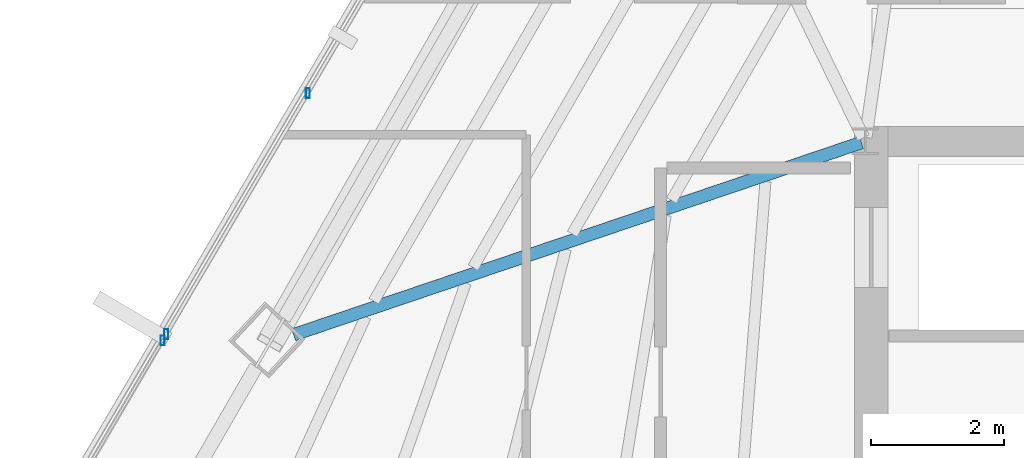
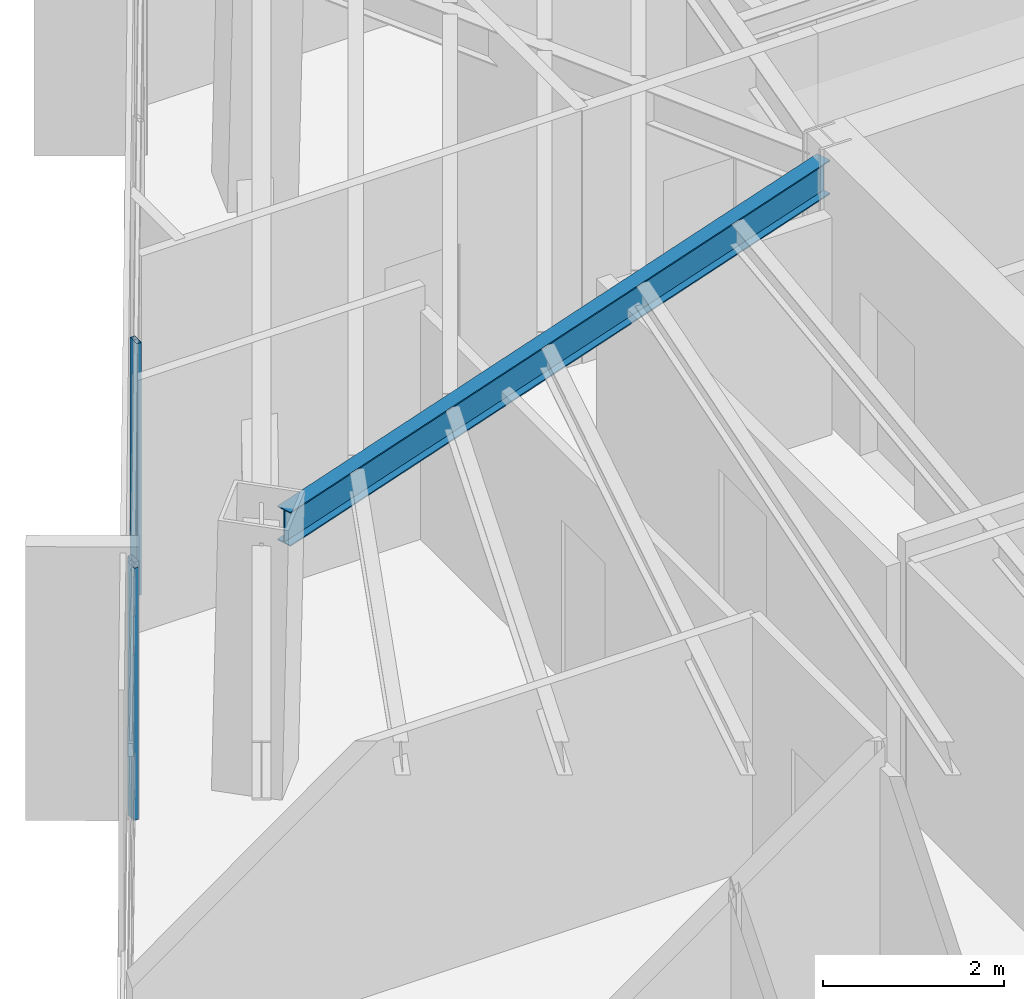
# One storey, part 15 of 44: 3 members, 1 beam, 2 elements without a shape of their own.
"""IFC4 building model written with IfcOpenShell, lengths in metres."""

from ifc_helpers import new_model, si_unit, direction, frame, origin, origin_2d, place, context, subcontext, project, spatial, hollow_rectangle, i_section, extrude, source, transform, mapped, material, material_profile, profile_set, type_object, type_shapes, element, aggregate, save


model = new_model("IFC4")

# Units and contexts
model_context = context("Model", 3, precision=1e-05, world=origin(), true_north=direction((0.0, 1.0)))
body_context = subcontext(model_context, "Body", "Model", "MODEL_VIEW")
ifc_project = project(units=[si_unit("LENGTHUNIT", "METRE"), si_unit("AREAUNIT", "SQUARE_METRE"), si_unit("VOLUMEUNIT", "CUBIC_METRE"), si_unit("PLANEANGLEUNIT", "RADIAN"), si_unit("MASSUNIT", "GRAM", prefix="KILO")], contexts=[model_context])

# Site, building, storey
site_placement = place(None, origin())
site = spatial("IfcSite", under=ifc_project, at=site_placement, CompositionType="ELEMENT")
building_placement = place(site_placement, origin())
building = spatial("IfcBuilding", under=site, at=building_placement, Name="Caelisora Broadcast Tower", CompositionType="ELEMENT")
storey_placement = place(building_placement, frame((0.0, 0.0, 198.64990234375)))
storey = spatial("IfcBuildingStorey", under=building, at=storey_placement, Name="L52", CompositionType="ELEMENT", Elevation=198.64990234375)

# Beam
ifc_material_1 = material(Name="Steel Grade 350 (AS/NZS 3679.1)", Category="steel")
ifc_material_profile_1 = material_profile(ifc_material_1, i_section(OverallWidth=0.19091796875, OverallDepth=0.46044921875, WebThickness=0.010009765625, FlangeThickness=0.01611328125, at=origin_2d()), Name="Steel Grade 350 (AS/NZS 3679.1)")
ifc_profile_set_1 = profile_set([ifc_material_profile_1], Name="Steel Grade 350 (AS/NZS 3679.1)")
beam_type = type_object("IfcBeamType", Name="PG06", PredefinedType="BEAM", material=ifc_profile_set_1)
shared_shape_1 = source(origin(), body_context, "Body", "SweptSolid", [
    extrude(i_section(OverallWidth=0.19091796875, OverallDepth=0.46044921875, WebThickness=0.010009765625, FlangeThickness=0.01611328125, at=origin_2d()), origin(), (0.0, 0.0, 1.0), 9.025146484375),
])
type_shapes(beam_type, [shared_shape_1])
beam_placement = place(storey_placement, frame((30.443115234375, 29.980712890625, 3.169921875), z_axis=(-0.947212430903, -0.320606629286, 0.0), x_axis=(0.320606629286, -0.947212430903, 0.0)))
element("IfcBeam", 1, at=beam_placement, inside=storey, type_object=beam_type, Name="L52 beam PG06", PredefinedType="BEAM", context=body_context, shape_type="MappedRepresentation", body=[
    mapped(shared_shape_1, transform((0.0, 0.0, 0.0), scale=1.0)),
])

# Curtain wall, member
ifc_material_2 = material(Name="Unitised Aluminium and Low-E Glass Curtain Wall", Category="glass")
curtain_wall_type_1 = type_object("IfcCurtainWallType", Name="CW-Z4", PredefinedType="NOTDEFINED", material=ifc_material_2)
curtain_wall_1_placement = place(storey_placement, origin())
curtain_wall_1 = element("IfcCurtainWall", 2, at=curtain_wall_1_placement, inside=storey, type_object=curtain_wall_type_1, Name="L52 curtain wall CW-Z4", PredefinedType="NOTDEFINED")
ifc_material_3 = material(Name="Aluminium 6063-T6 Anodised Terracotta Bronze", Category="aluminium")
ifc_material_profile_2 = material_profile(ifc_material_3, hollow_rectangle(XDim=0.06005859375, YDim=0.14990234375, WallThickness=0.00341796875, at=origin_2d()), Name="Aluminium 6063-T6 Anodised Terracotta Bronze")
ifc_profile_set_2 = profile_set([ifc_material_profile_2], Name="Aluminium 6063-T6 Anodised Terracotta Bronze")
member_type = type_object("IfcMemberType", Name="CWM-03", PredefinedType="MULLION", material=ifc_profile_set_2)
shared_shape_2 = source(origin(), body_context, "Body", "SweptSolid", [
    extrude(hollow_rectangle(XDim=0.06005859375, YDim=0.14990234375, WallThickness=0.00341796875, at=origin_2d()), origin(), (0.0, 0.0, 1.0), 3.400146484375),
])
type_shapes(member_type, [shared_shape_2])
member_1_placement = place(storey_placement, frame((19.921630859375, 27.000732421875, 0.0), z_axis=(0.0, 0.0, 1.0), x_axis=(1.0, 0.0, 0.0)))
member_1 = element("IfcMember", 3, at=member_1_placement, type_object=member_type, Name="L52-CW-B09 mullion #3", PredefinedType="MULLION", context=body_context, shape_type="MappedRepresentation", body=[
    mapped(shared_shape_2, transform((0.0, 0.0, 0.0), scale=1.0)),
])
aggregate(curtain_wall_1, [member_1])

# Curtain wall, members
ifc_material_4 = material(Name="Unitised Aluminium Insulated Shadow-Box Spandrel Curtain Wall", Category="aluminium")
curtain_wall_type_2 = type_object("IfcCurtainWallType", Name="CW-SP2", PredefinedType="NOTDEFINED", material=ifc_material_4)
curtain_wall_2_placement = place(storey_placement, origin())
curtain_wall_2 = element("IfcCurtainWall", 4, at=curtain_wall_2_placement, inside=storey, type_object=curtain_wall_type_2, Name="L52 curtain wall CW-SP2", PredefinedType="NOTDEFINED")
member_2_placement = place(storey_placement, frame((19.977294921875, 27.095703125, 0.0), z_axis=(0.0, 0.0, 1.0), x_axis=(1.0, 0.0, 0.0)))
member_2 = element("IfcMember", 5, at=member_2_placement, type_object=member_type, Name="L52-CW-B10 mullion #0", PredefinedType="MULLION", context=body_context, shape_type="MappedRepresentation", body=[
    mapped(shared_shape_2, transform((0.0, 0.0, 0.0), scale=1.0)),
])
member_3_placement = place(storey_placement, frame((22.109375, 30.72607421875, 0.0), z_axis=(0.0, 0.0, 1.0), x_axis=(1.0, 0.0, 0.0)))
member_3 = element("IfcMember", 6, at=member_3_placement, type_object=member_type, Name="L52-CW-B10 mullion #1", PredefinedType="MULLION", context=body_context, shape_type="MappedRepresentation", body=[
    mapped(shared_shape_2, transform((0.0, 0.0, 0.0), scale=1.0)),
])
aggregate(curtain_wall_2, [member_2, member_3])

save(model, "model.ifc")
